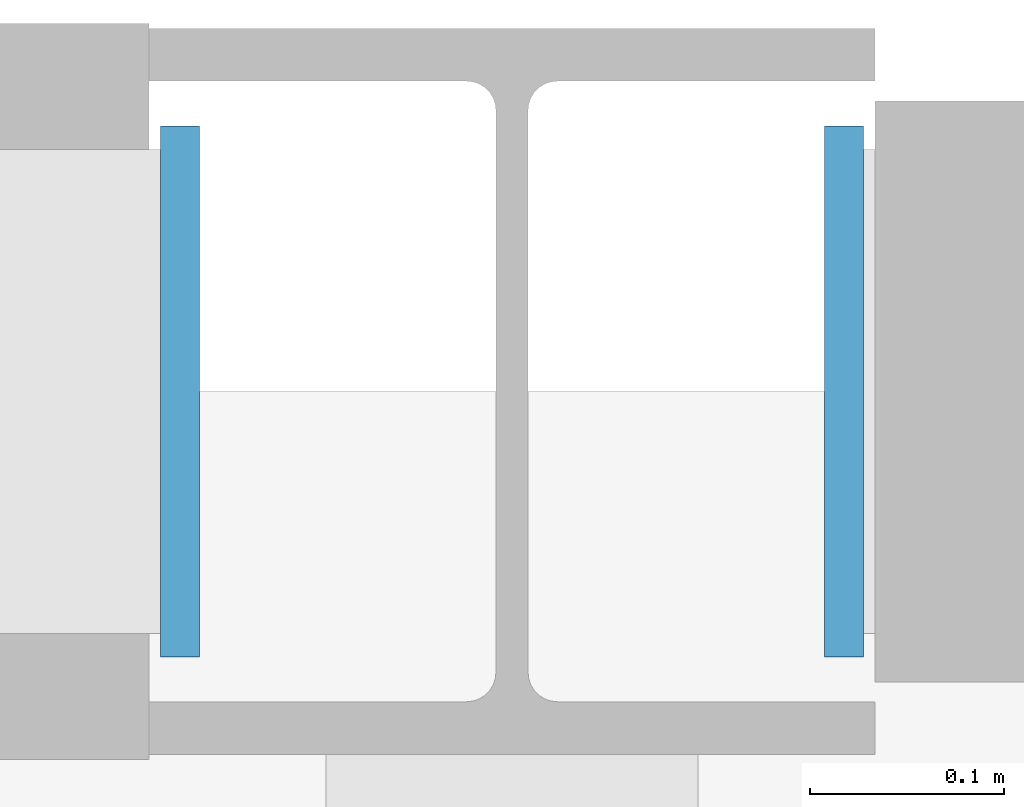
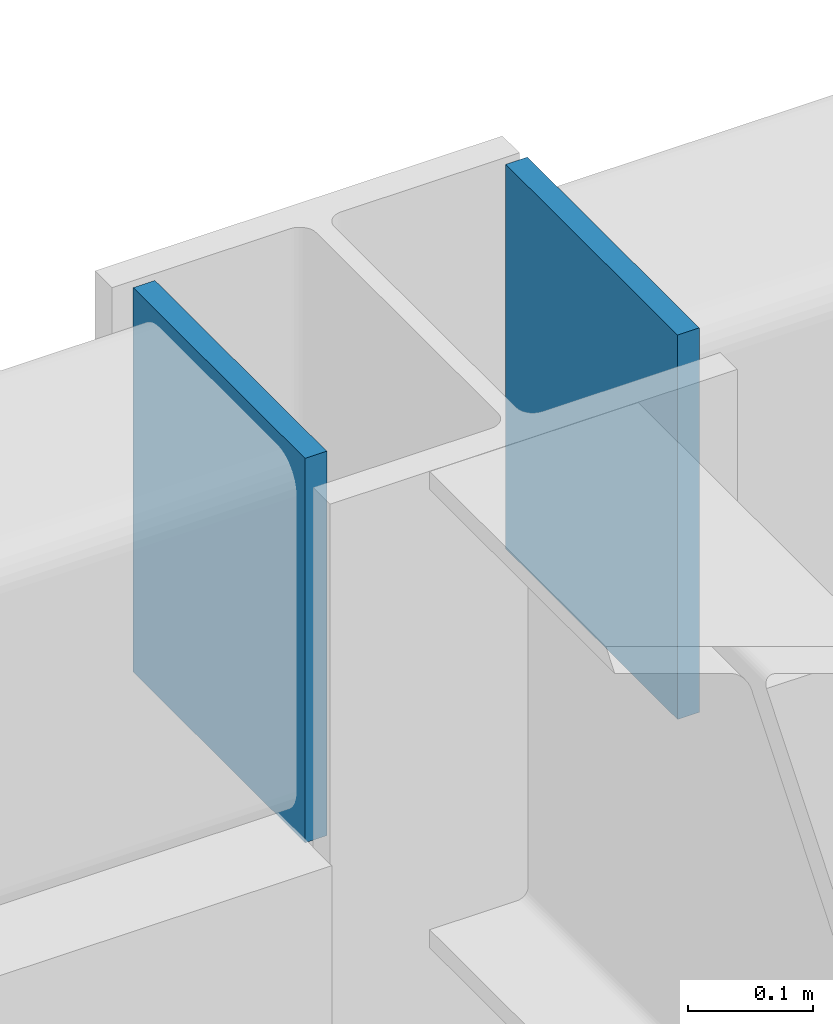
# One storey, part 118 of 138: 2 discrete accessories.
"""IFC4 building model written with IfcOpenShell, lengths in metres."""

from ifc_helpers import new_model, si_unit, direction, frame, origin, origin_2d, place, context, subcontext, project, spatial, rectangle, extrude, material, layer, layer_set, type_object, element, save


model = new_model("IFC4")

# Units and contexts
model_context = context("Model", 3, precision=1e-05, world=origin(), true_north=direction((0.0, 1.0)))
body_context = subcontext(model_context, "Body", "Model", "MODEL_VIEW")
ifc_project = project(units=[si_unit("LENGTHUNIT", "METRE"), si_unit("AREAUNIT", "SQUARE_METRE"), si_unit("VOLUMEUNIT", "CUBIC_METRE"), si_unit("PLANEANGLEUNIT", "RADIAN"), si_unit("MASSUNIT", "GRAM", prefix="KILO")], contexts=[model_context])

# Site, building, storey
site_placement = place(None, origin())
site = spatial("IfcSite", under=ifc_project, at=site_placement, CompositionType="ELEMENT")
building_placement = place(site_placement, origin())
building = spatial("IfcBuilding", under=site, at=building_placement, Name="Kranzveld Transit Interchange", CompositionType="ELEMENT")
storey_placement = place(building_placement, frame((0.0, 0.0, 5.43994140625)))
storey = spatial("IfcBuildingStorey", under=building, at=storey_placement, Name="L01", CompositionType="ELEMENT", Elevation=5.43994140625)

# Discrete accessories
ifc_material = material(Name="Steel S355JR", Category="steel")
ifc_layer = layer(ifc_material, 0.02001953125)
ifc_layer_set = layer_set([ifc_layer], Name="Steel S355JR")
discrete_accessory_type = type_object("IfcDiscreteAccessoryType", Name="Hollow Section End Cap Bracket 20 S355JR", PredefinedType="BRACKET", material=ifc_layer_set)
for number, where, z_axis, x_axis, name in (
    (1, (125.818603515625, 112.0, 3.625), (1.0, 0.0, 0.0), (0.0, 1.0, 0.0), "Hollow Section End Cap SP-RHS350-2"),
    (2, (126.181396484375, 112.0, 3.625), (-1.0, 0.0, 0.0), (0.0, -1.0, 0.0), "Hollow Section End Cap SP-RHS350-1"),
):
    element("IfcDiscreteAccessory", number, at=place(storey_placement, frame(where, z_axis=z_axis, x_axis=x_axis)), inside=storey, type_object=discrete_accessory_type, Name=name, PredefinedType="BRACKET", context=body_context, shape_type="SweptSolid", body=[
        extrude(rectangle(XDim=0.27392578125, YDim=0.3740234375, at=origin_2d()), origin(), (0.0, 0.0, 1.0), 0.02001953125),
    ])

save(model, "model.ifc")
